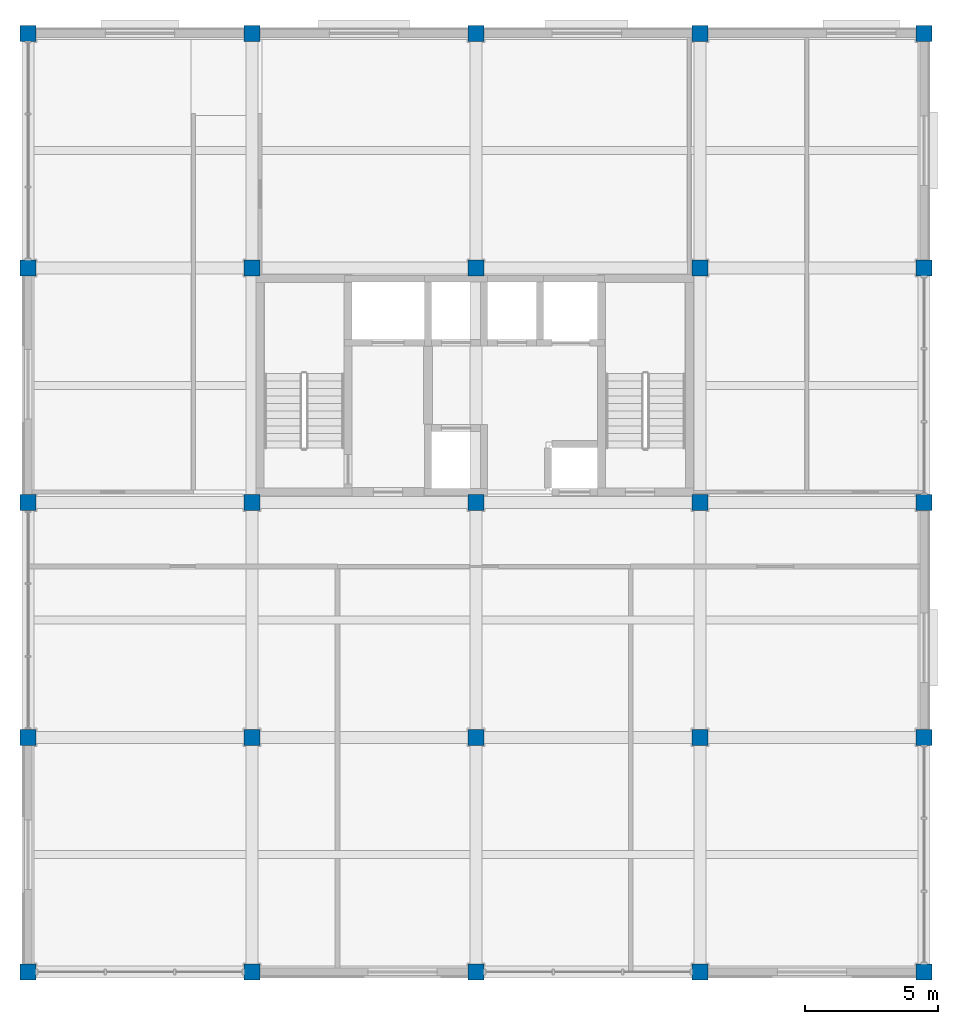
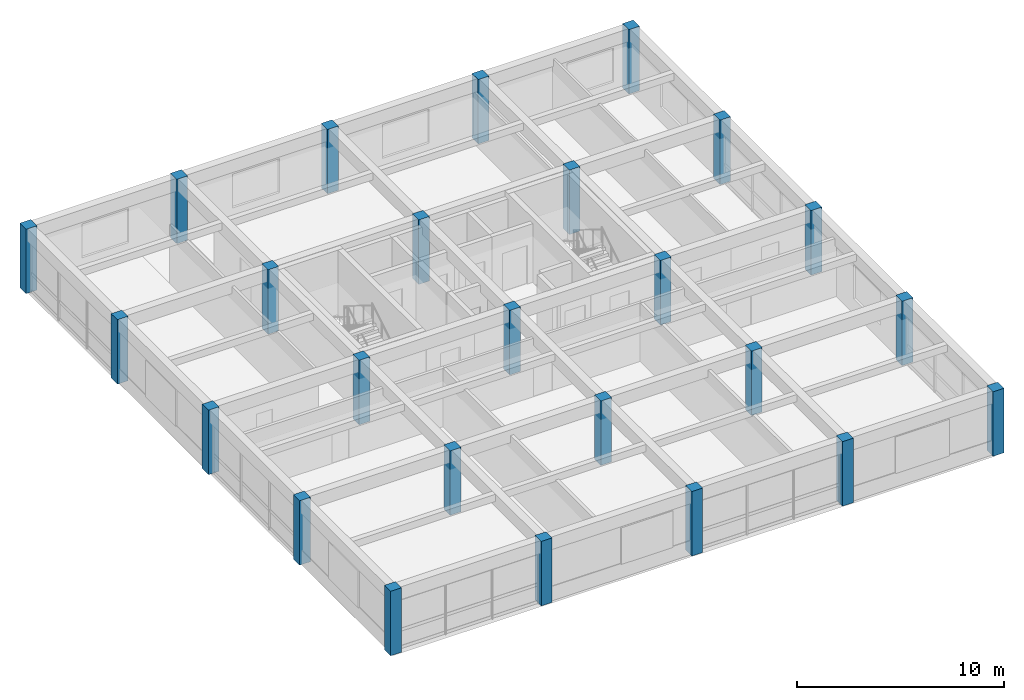
# One storey, part 1 of 12: 25 columns.
"""IFC4 building model written with IfcOpenShell, lengths in metres."""

from ifc_helpers import new_model, si_unit, direction, frame, origin, origin_2d, place, context, subcontext, project, spatial, rectangle, extrude, material, material_profile, profile_set, type_object, element, save


model = new_model("IFC4")

# Units and contexts
model_context = context("Model", 3, precision=1e-05, world=origin(), true_north=direction((0.0, 1.0)))
body_context = subcontext(model_context, "Body", "Model", "MODEL_VIEW")
ifc_project = project(units=[si_unit("LENGTHUNIT", "METRE"), si_unit("AREAUNIT", "SQUARE_METRE"), si_unit("VOLUMEUNIT", "CUBIC_METRE"), si_unit("PLANEANGLEUNIT", "RADIAN"), si_unit("MASSUNIT", "GRAM", prefix="KILO")], contexts=[model_context])

# Site, building, storey
site_placement = place(None, origin())
site = spatial("IfcSite", under=ifc_project, at=site_placement, CompositionType="ELEMENT")
building_placement = place(site_placement, origin())
building = spatial("IfcBuilding", under=site, at=building_placement, Name="Kemercrest Conservatory and Botanical Centre", CompositionType="ELEMENT")
storey_placement = place(building_placement, frame((0.0, 0.0, 56.0)))
storey = spatial("IfcBuildingStorey", under=building, at=storey_placement, Name="L14", CompositionType="ELEMENT", Elevation=56.0)

# Columns
ifc_material = material(Name="Concrete C40/50", Category="concrete")
ifc_material_profile = material_profile(ifc_material, rectangle(XDim=0.60009765625, YDim=0.60009765625, at=origin_2d()), Name="RC 600x600")
ifc_profile_set = profile_set([ifc_material_profile], Name="Concrete C40/50")
column_type = type_object("IfcColumnType", Name="C-RC60", PredefinedType="COLUMN", material=ifc_profile_set)
for number, where, z_axis, x_axis, name in (
    (1, (142.39990234375, 87.199951171875, 0.0), (0.0, 0.0, 1.0), (1.0, 0.0, 0.0), "Tower column C-RC60 17/K"),
    (2, (142.39990234375, 96.0, 0.0), (0.0, 0.0, 1.0), (1.0, 0.0, 0.0), "Tower column C-RC60 17/L"),
    (3, (142.39990234375, 104.800048828125, 0.0), (0.0, 0.0, 1.0), (1.0, 0.0, 0.0), "Tower column C-RC60 17/M"),
    (4, (142.39990234375, 113.60009765625, 0.0), (0.0, 0.0, 1.0), (1.0, 0.0, 0.0), "Tower column C-RC60 17/N"),
    (5, (142.39990234375, 122.39990234375, 0.0), (0.0, 0.0, 1.0), (1.0, 0.0, 0.0), "Tower column C-RC60 17/P"),
    (6, (150.800048828125, 87.199951171875, 0.0), (0.0, 0.0, 1.0), (1.0, 0.0, 0.0), "Tower column C-RC60 18/K"),
    (7, (150.800048828125, 96.0, 0.0), (0.0, 0.0, 1.0), (1.0, 0.0, 0.0), "Tower column C-RC60 18/L"),
    (8, (150.800048828125, 104.800048828125, 0.0), (0.0, 0.0, 1.0), (1.0, 0.0, 0.0), "Tower column C-RC60 18/M"),
    (9, (150.800048828125, 113.60009765625, 0.0), (0.0, 0.0, 1.0), (1.0, 0.0, 0.0), "Tower column C-RC60 18/N"),
    (10, (150.800048828125, 122.39990234375, 0.0), (0.0, 0.0, 1.0), (1.0, 0.0, 0.0), "Tower column C-RC60 18/P"),
    (11, (159.199951171875, 87.199951171875, 0.0), (0.0, 0.0, 1.0), (1.0, 0.0, 0.0), "Tower column C-RC60 19/K"),
    (12, (159.199951171875, 96.0, 0.0), (0.0, 0.0, 1.0), (1.0, 0.0, 0.0), "Tower column C-RC60 19/L"),
    (13, (159.199951171875, 104.800048828125, 0.0), (0.0, 0.0, 1.0), (1.0, 0.0, 0.0), "Tower column C-RC60 19/M"),
    (14, (159.199951171875, 113.60009765625, 0.0), (0.0, 0.0, 1.0), (1.0, 0.0, 0.0), "Tower column C-RC60 19/N"),
    (15, (159.199951171875, 122.39990234375, 0.0), (0.0, 0.0, 1.0), (1.0, 0.0, 0.0), "Tower column C-RC60 19/P"),
    (16, (167.60009765625, 87.199951171875, 0.0), (0.0, 0.0, 1.0), (1.0, 0.0, 0.0), "Tower column C-RC60 20/K"),
    (17, (167.60009765625, 96.0, 0.0), (0.0, 0.0, 1.0), (1.0, 0.0, 0.0), "Tower column C-RC60 20/L"),
    (18, (167.60009765625, 104.800048828125, 0.0), (0.0, 0.0, 1.0), (1.0, 0.0, 0.0), "Tower column C-RC60 20/M"),
    (19, (167.60009765625, 113.60009765625, 0.0), (0.0, 0.0, 1.0), (1.0, 0.0, 0.0), "Tower column C-RC60 20/N"),
    (20, (167.60009765625, 122.39990234375, 0.0), (0.0, 0.0, 1.0), (1.0, 0.0, 0.0), "Tower column C-RC60 20/P"),
    (21, (176.0, 87.199951171875, 0.0), (0.0, 0.0, 1.0), (1.0, 0.0, 0.0), "Tower column C-RC60 21/K"),
    (22, (176.0, 96.0, 0.0), (0.0, 0.0, 1.0), (1.0, 0.0, 0.0), "Tower column C-RC60 21/L"),
    (23, (176.0, 104.800048828125, 0.0), (0.0, 0.0, 1.0), (1.0, 0.0, 0.0), "Tower column C-RC60 21/M"),
    (24, (176.0, 113.60009765625, 0.0), (0.0, 0.0, 1.0), (1.0, 0.0, 0.0), "Tower column C-RC60 21/N"),
    (25, (176.0, 122.39990234375, 0.0), (0.0, 0.0, 1.0), (1.0, 0.0, 0.0), "Tower column C-RC60 21/P"),
):
    element("IfcColumn", number, at=place(storey_placement, frame(where, z_axis=z_axis, x_axis=x_axis)), inside=storey, type_object=column_type, Name=name, PredefinedType="COLUMN", context=body_context, shape_type="SweptSolid", body=[
        extrude(rectangle(XDim=0.60009765625, YDim=0.60009765625, at=origin_2d()), origin(), (0.0, 0.0, 1.0), 3.800048828125),
    ])

save(model, "model.ifc")
